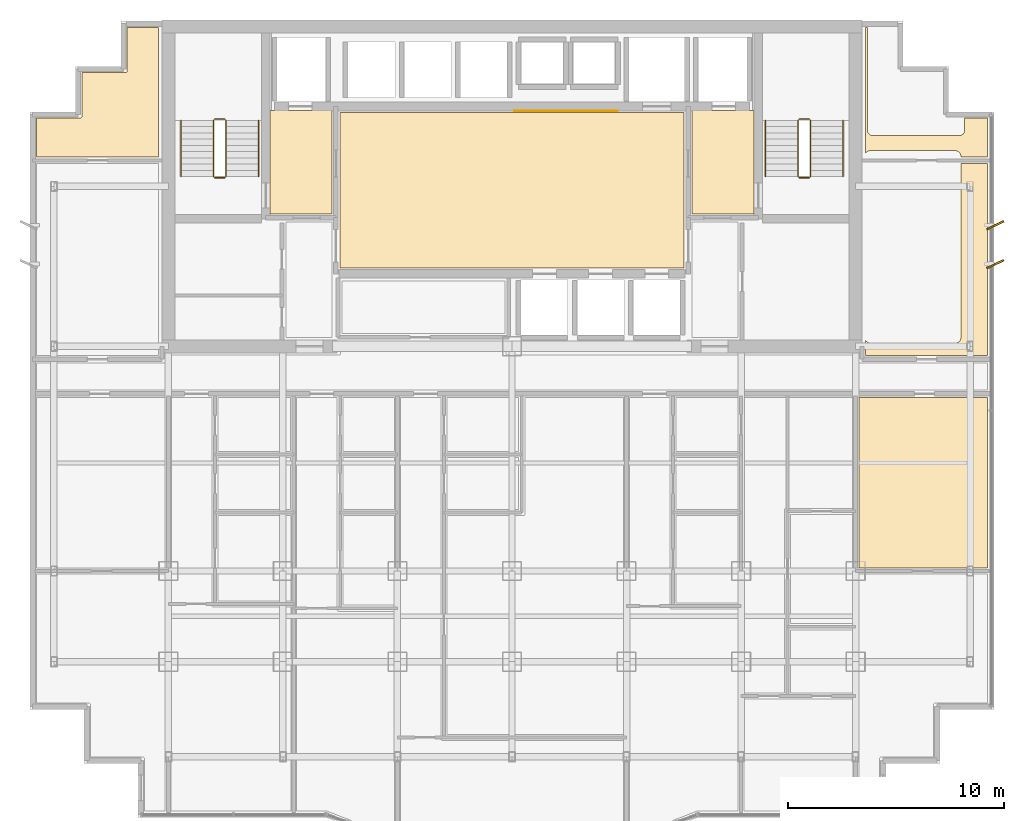
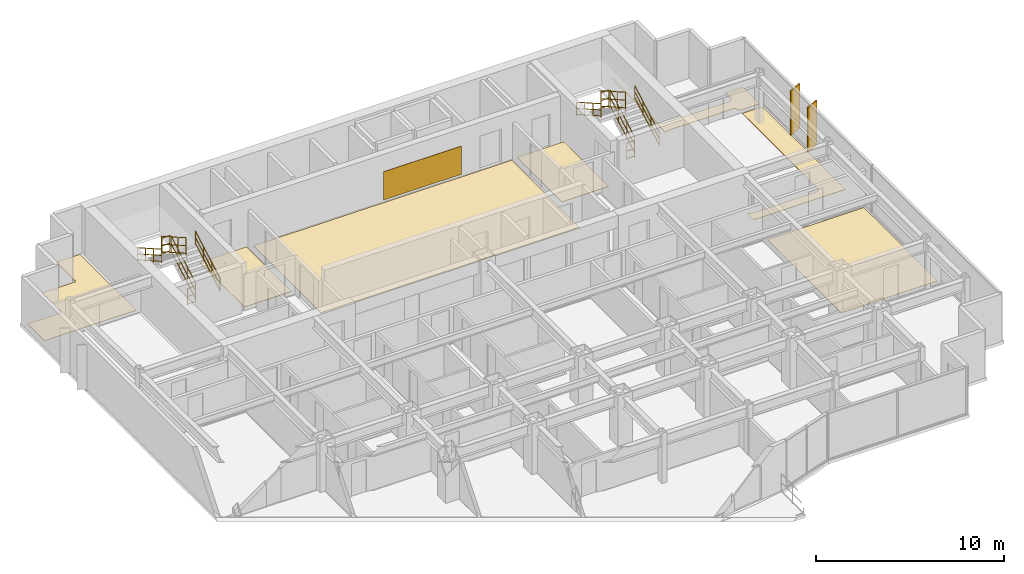
# One storey, part 13 of 13: 12 railings, 8 coverings, 2 shading devices.
"""IFC4 building model written with IfcOpenShell, lengths in metres."""

from ifc_helpers import new_model, si_unit, direction, frame, origin, origin_2d, place, context, subcontext, project, spatial, polyline, rectangle, circle, outline, extrude, source, transform, mapped, material, layer, layer_set, type_object, element, save


model = new_model("IFC4")

# Units and contexts
model_context = context("Model", 3, precision=1e-05, world=origin(), true_north=direction((0.0, 1.0)))
body_context = subcontext(model_context, "Body", "Model", "MODEL_VIEW")
ifc_project = project(units=[si_unit("LENGTHUNIT", "METRE"), si_unit("AREAUNIT", "SQUARE_METRE"), si_unit("VOLUMEUNIT", "CUBIC_METRE"), si_unit("PLANEANGLEUNIT", "RADIAN"), si_unit("MASSUNIT", "GRAM", prefix="KILO")], contexts=[model_context])

# Site, building, storey
site_placement = place(None, origin())
site = spatial("IfcSite", under=ifc_project, at=site_placement, CompositionType="ELEMENT")
building_placement = place(site_placement, origin())
building = spatial("IfcBuilding", under=site, at=building_placement, Name="Qianlan Lanfeng Residences", CompositionType="ELEMENT")
storey_placement = place(building_placement, frame((0.0, 0.0, 142.5)))
storey = spatial("IfcBuildingStorey", under=building, at=storey_placement, Name="L38", CompositionType="ELEMENT", Elevation=142.5)

# Coverings
ifc_material_1 = material(Name="Anodised Bronze Feature Wall Cladding")
ifc_layer_1 = layer(ifc_material_1, 0.02490234375)
ifc_layer_set_1 = layer_set([ifc_layer_1], Name="Anodised Bronze Feature Wall Cladding")
covering_type_1 = type_object("IfcCoveringType", Name="CLD-BRZ-25", PredefinedType="CLADDING", material=ifc_layer_set_1)
covering_1_placement = place(storey_placement, frame((0.0, 0.0, 0.14990234375)))
element("IfcCovering", 1, at=covering_1_placement, inside=storey, type_object=covering_type_1, Name="L38 Lift Lobby Bronze Feature Cladding", PredefinedType="CLADDING", context=body_context, shape_type="SweptSolid", body=[
    extrude(outline(polyline([(26.60009765625, 36.074951171875), (31.39990234375, 36.074951171875), (31.39990234375, 36.10009765625), (26.60009765625, 36.10009765625), (26.60009765625, 36.074951171875)])), origin(), (0.0, 0.0, 1.0), 1.830078125),
])
ifc_material_2 = material(Name="Honed Taitung Granite Stone Flooring", Category="masonry")
ifc_layer_2 = layer(ifc_material_2, 0.030029296875)
ifc_layer_set_2 = layer_set([ifc_layer_2], Name="Honed Taitung Granite Stone Flooring")
covering_type_2 = type_object("IfcCoveringType", Name="FLR-STN-30", PredefinedType="FLOORING", material=ifc_layer_set_2)
covering_2_placement = place(storey_placement, origin())
element("IfcCovering", 2, at=covering_2_placement, inside=storey, type_object=covering_type_2, Name="L38 Firefighting Lift Lobby Floor Finish", PredefinedType="FLOORING", context=body_context, shape_type="SweptSolid", body=[
    extrude(outline(polyline([(15.2900390625, 31.320068359375), (18.179931640625, 31.320068359375), (18.179931640625, 36.110107421875), (15.2900390625, 36.110107421875), (15.2900390625, 31.320068359375)])), origin(), (0.0, 0.0, 1.0), 0.030029296875),
])
covering_3_placement = place(storey_placement, origin())
element("IfcCovering", 3, at=covering_3_placement, inside=storey, type_object=covering_type_2, Name="L38 Firefighting Lift Lobby Floor Finish", PredefinedType="FLOORING", context=body_context, shape_type="SweptSolid", body=[
    extrude(outline(polyline([(34.820068359375, 31.320068359375), (37.7099609375, 31.320068359375), (37.7099609375, 36.110107421875), (34.820068359375, 36.110107421875), (34.820068359375, 31.320068359375)])), origin(), (0.0, 0.0, 1.0), 0.030029296875),
])
covering_4_placement = place(storey_placement, origin())
element("IfcCovering", 4, at=covering_4_placement, inside=storey, type_object=covering_type_2, Name="L38 Lift Lobby Floor Finish", PredefinedType="FLOORING", context=body_context, shape_type="SweptSolid", body=[
    extrude(outline(polyline([(18.550048828125, 28.820068359375), (34.449951171875, 28.820068359375), (34.449951171875, 36.010009765625), (18.550048828125, 36.010009765625), (18.550048828125, 28.820068359375)])), origin(), (0.0, 0.0, 1.0), 0.030029296875),
])
ifc_material_3 = material(Name="Engineered Smoked Oak Timber Flooring", Category="wood")
ifc_layer_3 = layer(ifc_material_3, 0.02197265625)
ifc_layer_set_3 = layer_set([ifc_layer_3], Name="Engineered Smoked Oak Timber Flooring")
covering_type_3 = type_object("IfcCoveringType", Name="FLR-TIM-22", PredefinedType="FLOORING", material=ifc_layer_set_3)
covering_5_placement = place(storey_placement, origin())
element("IfcCovering", 5, at=covering_5_placement, inside=storey, type_object=covering_type_3, Name="L38 Private Study Floor Finish", PredefinedType="FLOORING", context=body_context, shape_type="SweptSolid", body=[
    extrude(outline(polyline([(48.510009765625, 22.830078125), (42.56005859375, 22.830078125), (42.56005859375, 14.949951171875), (48.510009765625, 14.949951171875), (48.510009765625, 22.830078125)])), origin(), (0.0, 0.0, 1.0), 0.02197265625),
])
covering_6_placement = place(storey_placement, origin())
element("IfcCovering", 6, at=covering_6_placement, inside=storey, type_object=covering_type_3, Name="L38 Resident Lounge Floor Finish", PredefinedType="FLOORING", context=body_context, shape_type="SweptSolid", body=[
    extrude(outline(polyline([(4.489990234375, 33.949951171875), (10.14990234375, 33.949951171875), (10.14990234375, 39.9599609375), (8.68994140625, 39.9599609375), (8.68994140625, 37.929931640625), (8.68994140625, 37.923095703125), (8.68896484375, 37.916015625), (8.68701171875, 37.909912109375), (8.68505859375, 37.903076171875), (8.681884765625, 37.89697265625), (8.677978515625, 37.89111328125), (8.674072265625, 37.885986328125), (8.6689453125, 37.881103515625), (8.6640625, 37.8759765625), (8.658935546875, 37.8720703125), (8.653076171875, 37.867919921875), (8.64697265625, 37.864990234375), (8.639892578125, 37.863037109375), (8.634033203125, 37.861083984375), (8.626953125, 37.860107421875), (8.6201171875, 37.860107421875), (6.590087890625, 37.860107421875), (6.590087890625, 35.830078125), (6.590087890625, 35.822998046875), (6.589111328125, 35.81591796875), (6.5869140625, 35.81005859375), (6.5849609375, 35.802978515625), (6.58203125, 35.797119140625), (6.577880859375, 35.791015625), (6.573974609375, 35.785888671875), (6.569091796875, 35.781005859375), (6.56396484375, 35.77587890625), (6.55908203125, 35.77197265625), (6.552978515625, 35.76806640625), (6.547119140625, 35.764892578125), (6.5400390625, 35.762939453125), (6.533935546875, 35.760986328125), (6.527099609375, 35.760009765625), (6.52001953125, 35.760009765625), (4.489990234375, 35.760009765625), (4.489990234375, 33.949951171875)])), origin(), (0.0, 0.0, 1.0), 0.02197265625),
])
covering_7_placement = place(storey_placement, origin())
element("IfcCovering", 7, at=covering_7_placement, inside=storey, type_object=covering_type_3, Name="L38 Sky Lounge Floor Finish", PredefinedType="FLOORING", context=body_context, shape_type="SweptSolid", body=[
    extrude(outline(polyline([(48.510009765625, 33.64990234375), (47.27001953125, 33.64990234375), (47.27001953125, 25.60009765625), (47.26904296875, 25.574951171875), (47.264892578125, 25.551025390625), (47.259033203125, 25.527099609375), (47.2509765625, 25.50390625), (47.239990234375, 25.48193359375), (47.22802734375, 25.4609375), (47.212890625, 25.44091796875), (47.197021484375, 25.423095703125), (47.178955078125, 25.406982421875), (47.158935546875, 25.39208984375), (47.137939453125, 25.3798828125), (47.115966796875, 25.368896484375), (47.093017578125, 25.361083984375), (47.069091796875, 25.35498046875), (47.044921875, 25.35107421875), (47.02001953125, 25.35009765625), (43.080078125, 25.35009765625), (43.054931640625, 25.35107421875), (43.031005859375, 25.35498046875), (43.007080078125, 25.361083984375), (42.98388671875, 25.368896484375), (42.9619140625, 25.3798828125), (42.94091796875, 25.39208984375), (42.9208984375, 25.406982421875), (42.903076171875, 25.423095703125), (42.886962890625, 25.44091796875), (42.8720703125, 25.4609375), (42.860107421875, 25.48193359375), (42.85009765625, 25.501953125), (42.85009765625, 24.780029296875), (48.510009765625, 24.780029296875), (48.510009765625, 33.64990234375)])), origin(), (0.0, 0.0, 1.0), 0.02197265625),
])
covering_8_placement = place(storey_placement, origin())
element("IfcCovering", 8, at=covering_8_placement, inside=storey, type_object=covering_type_3, Name="L38 Resident Lounge Floor Finish", PredefinedType="FLOORING", context=body_context, shape_type="SweptSolid", body=[
    extrude(outline(polyline([(42.85009765625, 34.097900390625), (42.860107421875, 34.117919921875), (42.8720703125, 34.138916015625), (42.886962890625, 34.158935546875), (42.903076171875, 34.177001953125), (42.9208984375, 34.193115234375), (42.94091796875, 34.2080078125), (42.9619140625, 34.219970703125), (42.98388671875, 34.23095703125), (43.007080078125, 34.239013671875), (43.031005859375, 34.2451171875), (43.054931640625, 34.2490234375), (43.080078125, 34.25), (47.02001953125, 34.25), (47.044921875, 34.2490234375), (47.069091796875, 34.2451171875), (47.093017578125, 34.239013671875), (47.115966796875, 34.23095703125), (47.137939453125, 34.219970703125), (47.158935546875, 34.2080078125), (47.178955078125, 34.193115234375), (47.197021484375, 34.177001953125), (47.212890625, 34.158935546875), (47.22802734375, 34.138916015625), (47.239990234375, 34.117919921875), (47.2509765625, 34.095947265625), (47.259033203125, 34.072998046875), (47.264892578125, 34.049072265625), (47.26904296875, 34.02490234375), (47.27001953125, 34.0), (47.27001953125, 33.949951171875), (48.510009765625, 33.949951171875), (48.510009765625, 35.760009765625), (47.449951171875, 35.760009765625), (47.449951171875, 35.199951171875), (47.448974609375, 35.175048828125), (47.445068359375, 35.15087890625), (47.43896484375, 35.126953125), (47.430908203125, 35.10400390625), (47.419921875, 35.08203125), (47.407958984375, 35.06103515625), (47.39306640625, 35.041015625), (47.376953125, 35.02294921875), (47.35888671875, 35.007080078125), (47.339111328125, 34.991943359375), (47.318115234375, 34.97998046875), (47.2958984375, 34.968994140625), (47.27294921875, 34.9609375), (47.2490234375, 34.955078125), (47.22509765625, 34.950927734375), (47.199951171875, 34.949951171875), (43.199951171875, 34.949951171875), (43.175048828125, 34.950927734375), (43.15087890625, 34.955078125), (43.126953125, 34.9609375), (43.10400390625, 34.968994140625), (43.08203125, 34.97998046875), (43.06103515625, 34.991943359375), (43.041015625, 35.007080078125), (43.02294921875, 35.02294921875), (43.007080078125, 35.041015625), (42.991943359375, 35.06103515625), (42.97998046875, 35.08203125), (42.968994140625, 35.10400390625), (42.9609375, 35.126953125), (42.955078125, 35.15087890625), (42.950927734375, 35.175048828125), (42.949951171875, 35.199951171875), (42.949951171875, 39.9599609375), (42.85009765625, 39.9599609375), (42.85009765625, 34.097900390625)])), origin(), (0.0, 0.0, 1.0), 0.02197265625),
])

# Railings
ifc_material_4 = material(Name="Painted Galvanised Steel Guardrail", Category="steel")
railing_type_1 = type_object("IfcRailingType", Name="GR-ST-1120", PredefinedType="GUARDRAIL", material=ifc_material_4)
railing_1_placement = place(storey_placement, frame((13.27001953125, 33.050048828125, 0.1650390625)))
element("IfcRailing", 9, at=railing_1_placement, inside=storey, type_object=railing_type_1, Name="L38 ST-1 stair guard 1", PredefinedType="GUARDRAIL", context=body_context, shape_type="SweptSolid", body=[
    extrude(circle(Radius=0.02392578125, at=origin_2d()), frame((0.0, 0.0, 0.083984375), z_axis=(0.0, 0.869172267526, 0.494509422927), x_axis=(-1.0, 0.0, 0.0)), (0.0, 0.0, 1.0), 3.002685546875),
    extrude(circle(Radius=0.02392578125, at=origin_2d()), frame((0.0, 0.0, 0.58251953125), z_axis=(0.0, 0.869172267526, 0.494509422927), x_axis=(-1.0, 0.0, 0.0)), (0.0, 0.0, 1.0), 3.002685546875),
    extrude(circle(Radius=0.02392578125, at=origin_2d()), frame((0.0, 0.0, 1.09619140625), z_axis=(0.0, 0.869172267526, 0.494509422927), x_axis=(-1.0, 0.0, 0.0)), (0.0, 0.0, 1.0), 3.002685546875),
    extrude(circle(Radius=0.02099609375, at=origin_2d()), origin(), (0.0, 0.0, 1.0), 1.072021484375),
    extrude(circle(Radius=0.02099609375, at=origin_2d()), frame((0.0, 0.869873046875, 0.494873046875)), (0.0, 0.0, 1.0), 1.072021484375),
    extrude(circle(Radius=0.02099609375, at=origin_2d()), frame((0.0, 1.739990234375, 0.989990234375)), (0.0, 0.0, 1.0), 1.072021484375),
    extrude(circle(Radius=0.02099609375, at=origin_2d()), frame((0.0, 2.60986328125, 1.48486328125)), (0.0, 0.0, 1.0), 1.072021484375),
])
railing_2_placement = place(storey_placement, frame((13.219970703125, 35.7099609375, 1.64990234375)))
element("IfcRailing", 10, at=railing_2_placement, inside=storey, type_object=railing_type_1, Name="L38 ST-1 stair guard 2", PredefinedType="GUARDRAIL", context=body_context, shape_type="SweptSolid", body=[
    extrude(circle(Radius=0.02392578125, at=origin_2d()), frame((0.0, 0.0, 0.083984375), z_axis=(-1.0, 0.0, 0.0), x_axis=(0.0, -1.0, 0.0)), (0.0, 0.0, 1.0), 0.47998046875),
    extrude(circle(Radius=0.02392578125, at=origin_2d()), frame((0.0, 0.0, 0.58251953125), z_axis=(-1.0, 0.0, 0.0), x_axis=(0.0, -1.0, 0.0)), (0.0, 0.0, 1.0), 0.47998046875),
    extrude(circle(Radius=0.02392578125, at=origin_2d()), frame((0.0, 0.0, 1.09619140625), z_axis=(-1.0, 0.0, 0.0), x_axis=(0.0, -1.0, 0.0)), (0.0, 0.0, 1.0), 0.47998046875),
    extrude(circle(Radius=0.02099609375, at=origin_2d()), origin(), (0.0, 0.0, 1.0), 1.072021484375),
    extrude(circle(Radius=0.02099609375, at=origin_2d()), frame((-0.47998046875, 0.0, 0.0)), (0.0, 0.0, 1.0), 1.072021484375),
])
railing_3_placement = place(storey_placement, frame((12.68994140625, 35.659912109375, 1.81494140625)))
element("IfcRailing", 11, at=railing_3_placement, inside=storey, type_object=railing_type_1, Name="L38 ST-1 stair guard 3", PredefinedType="GUARDRAIL", context=body_context, shape_type="SweptSolid", body=[
    extrude(circle(Radius=0.02392578125, at=origin_2d()), frame((0.0, 0.0, 0.083984375), z_axis=(0.0, -0.869137319866, 0.494570843475), x_axis=(1.0, 0.0, 0.0)), (0.0, 0.0, 1.0), 3.0029296875),
    extrude(circle(Radius=0.02392578125, at=origin_2d()), frame((0.0, 0.0, 0.58251953125), z_axis=(0.0, -0.869137319866, 0.494570843475), x_axis=(1.0, 0.0, 0.0)), (0.0, 0.0, 1.0), 3.0029296875),
    extrude(circle(Radius=0.02392578125, at=origin_2d()), frame((0.0, 0.0, 1.09619140625), z_axis=(0.0, -0.869137319866, 0.494570843475), x_axis=(1.0, 0.0, 0.0)), (0.0, 0.0, 1.0), 3.0029296875),
    extrude(circle(Radius=0.02099609375, at=origin_2d()), origin(), (0.0, 0.0, 1.0), 1.072021484375),
    extrude(circle(Radius=0.02099609375, at=origin_2d()), frame((0.0, -0.869873046875, 0.4951171875)), (0.0, 0.0, 1.0), 1.072021484375),
    extrude(circle(Radius=0.02099609375, at=origin_2d()), frame((0.0, -1.739990234375, 0.989990234375)), (0.0, 0.0, 1.0), 1.072021484375),
    extrude(circle(Radius=0.02099609375, at=origin_2d()), frame((0.0, -2.60986328125, 1.485107421875)), (0.0, 0.0, 1.0), 1.072021484375),
])
railing_4_placement = place(storey_placement, frame((13.219970703125, 33.0, 0.0)))
element("IfcRailing", 12, at=railing_4_placement, inside=storey, type_object=railing_type_1, Name="L38 ST-1 stair guard 4", PredefinedType="GUARDRAIL", context=body_context, shape_type="SweptSolid", body=[
    extrude(circle(Radius=0.02392578125, at=origin_2d()), frame((0.0, 0.0, 0.083984375), z_axis=(-1.0, 0.0, 0.0), x_axis=(0.0, -1.0, 0.0)), (0.0, 0.0, 1.0), 0.47998046875),
    extrude(circle(Radius=0.02392578125, at=origin_2d()), frame((0.0, 0.0, 0.58251953125), z_axis=(-1.0, 0.0, 0.0), x_axis=(0.0, -1.0, 0.0)), (0.0, 0.0, 1.0), 0.47998046875),
    extrude(circle(Radius=0.02392578125, at=origin_2d()), frame((0.0, 0.0, 1.09619140625), z_axis=(-1.0, 0.0, 0.0), x_axis=(0.0, -1.0, 0.0)), (0.0, 0.0, 1.0), 0.47998046875),
    extrude(circle(Radius=0.02099609375, at=origin_2d()), origin(), (0.0, 0.0, 1.0), 1.072021484375),
    extrude(circle(Radius=0.02099609375, at=origin_2d()), frame((-0.47998046875, 0.0, 0.0)), (0.0, 0.0, 1.0), 1.072021484375),
])
railing_5_placement = place(storey_placement, frame((40.31005859375, 33.050048828125, 0.1650390625)))
element("IfcRailing", 13, at=railing_5_placement, inside=storey, type_object=railing_type_1, Name="L38 ST-2 stair guard 1", PredefinedType="GUARDRAIL", context=body_context, shape_type="SweptSolid", body=[
    extrude(circle(Radius=0.02392578125, at=origin_2d()), frame((0.0, 0.0, 0.083984375), z_axis=(0.0, 0.869172267526, 0.494509422927), x_axis=(-1.0, 0.0, 0.0)), (0.0, 0.0, 1.0), 3.002685546875),
    extrude(circle(Radius=0.02392578125, at=origin_2d()), frame((0.0, 0.0, 0.58251953125), z_axis=(0.0, 0.869172267526, 0.494509422927), x_axis=(-1.0, 0.0, 0.0)), (0.0, 0.0, 1.0), 3.002685546875),
    extrude(circle(Radius=0.02392578125, at=origin_2d()), frame((0.0, 0.0, 1.09619140625), z_axis=(0.0, 0.869172267526, 0.494509422927), x_axis=(-1.0, 0.0, 0.0)), (0.0, 0.0, 1.0), 3.002685546875),
    extrude(circle(Radius=0.02099609375, at=origin_2d()), origin(), (0.0, 0.0, 1.0), 1.072021484375),
    extrude(circle(Radius=0.02099609375, at=origin_2d()), frame((0.0, 0.869873046875, 0.494873046875)), (0.0, 0.0, 1.0), 1.072021484375),
    extrude(circle(Radius=0.02099609375, at=origin_2d()), frame((0.0, 1.739990234375, 0.989990234375)), (0.0, 0.0, 1.0), 1.072021484375),
    extrude(circle(Radius=0.02099609375, at=origin_2d()), frame((0.0, 2.60986328125, 1.48486328125)), (0.0, 0.0, 1.0), 1.072021484375),
])
railing_6_placement = place(storey_placement, frame((40.260009765625, 35.7099609375, 1.64990234375)))
element("IfcRailing", 14, at=railing_6_placement, inside=storey, type_object=railing_type_1, Name="L38 ST-2 stair guard 2", PredefinedType="GUARDRAIL", context=body_context, shape_type="SweptSolid", body=[
    extrude(circle(Radius=0.02392578125, at=origin_2d()), frame((0.0, 0.0, 0.083984375), z_axis=(-1.0, 0.0, 0.0), x_axis=(0.0, -1.0, 0.0)), (0.0, 0.0, 1.0), 0.47998046875),
    extrude(circle(Radius=0.02392578125, at=origin_2d()), frame((0.0, 0.0, 0.58251953125), z_axis=(-1.0, 0.0, 0.0), x_axis=(0.0, -1.0, 0.0)), (0.0, 0.0, 1.0), 0.47998046875),
    extrude(circle(Radius=0.02392578125, at=origin_2d()), frame((0.0, 0.0, 1.09619140625), z_axis=(-1.0, 0.0, 0.0), x_axis=(0.0, -1.0, 0.0)), (0.0, 0.0, 1.0), 0.47998046875),
    extrude(circle(Radius=0.02099609375, at=origin_2d()), origin(), (0.0, 0.0, 1.0), 1.072021484375),
    extrude(circle(Radius=0.02099609375, at=origin_2d()), frame((-0.47998046875, 0.0, 0.0)), (0.0, 0.0, 1.0), 1.072021484375),
])
railing_7_placement = place(storey_placement, frame((39.72998046875, 35.659912109375, 1.81494140625)))
element("IfcRailing", 15, at=railing_7_placement, inside=storey, type_object=railing_type_1, Name="L38 ST-2 stair guard 3", PredefinedType="GUARDRAIL", context=body_context, shape_type="SweptSolid", body=[
    extrude(circle(Radius=0.02392578125, at=origin_2d()), frame((0.0, 0.0, 0.083984375), z_axis=(0.0, -0.869137319866, 0.494570843475), x_axis=(1.0, 0.0, 0.0)), (0.0, 0.0, 1.0), 3.0029296875),
    extrude(circle(Radius=0.02392578125, at=origin_2d()), frame((0.0, 0.0, 0.58251953125), z_axis=(0.0, -0.869137319866, 0.494570843475), x_axis=(1.0, 0.0, 0.0)), (0.0, 0.0, 1.0), 3.0029296875),
    extrude(circle(Radius=0.02392578125, at=origin_2d()), frame((0.0, 0.0, 1.09619140625), z_axis=(0.0, -0.869137319866, 0.494570843475), x_axis=(1.0, 0.0, 0.0)), (0.0, 0.0, 1.0), 3.0029296875),
    extrude(circle(Radius=0.02099609375, at=origin_2d()), origin(), (0.0, 0.0, 1.0), 1.072021484375),
    extrude(circle(Radius=0.02099609375, at=origin_2d()), frame((0.0, -0.869873046875, 0.4951171875)), (0.0, 0.0, 1.0), 1.072021484375),
    extrude(circle(Radius=0.02099609375, at=origin_2d()), frame((0.0, -1.739990234375, 0.989990234375)), (0.0, 0.0, 1.0), 1.072021484375),
    extrude(circle(Radius=0.02099609375, at=origin_2d()), frame((0.0, -2.60986328125, 1.485107421875)), (0.0, 0.0, 1.0), 1.072021484375),
])
railing_8_placement = place(storey_placement, frame((40.260009765625, 33.0, 0.0)))
element("IfcRailing", 16, at=railing_8_placement, inside=storey, type_object=railing_type_1, Name="L38 ST-2 stair guard 4", PredefinedType="GUARDRAIL", context=body_context, shape_type="SweptSolid", body=[
    extrude(circle(Radius=0.02392578125, at=origin_2d()), frame((0.0, 0.0, 0.083984375), z_axis=(-1.0, 0.0, 0.0), x_axis=(0.0, -1.0, 0.0)), (0.0, 0.0, 1.0), 0.47998046875),
    extrude(circle(Radius=0.02392578125, at=origin_2d()), frame((0.0, 0.0, 0.58251953125), z_axis=(-1.0, 0.0, 0.0), x_axis=(0.0, -1.0, 0.0)), (0.0, 0.0, 1.0), 0.47998046875),
    extrude(circle(Radius=0.02392578125, at=origin_2d()), frame((0.0, 0.0, 1.09619140625), z_axis=(-1.0, 0.0, 0.0), x_axis=(0.0, -1.0, 0.0)), (0.0, 0.0, 1.0), 0.47998046875),
    extrude(circle(Radius=0.02099609375, at=origin_2d()), origin(), (0.0, 0.0, 1.0), 1.072021484375),
    extrude(circle(Radius=0.02099609375, at=origin_2d()), frame((-0.47998046875, 0.0, 0.0)), (0.0, 0.0, 1.0), 1.072021484375),
])
ifc_material_5 = material(Name="Brushed Stainless Steel Handrail", Category="steel")
railing_type_2 = type_object("IfcRailingType", Name="HR-ST-920", PredefinedType="HANDRAIL", material=ifc_material_5)
railing_9_placement = place(storey_placement, frame((14.77001953125, 33.050048828125, 0.1650390625)))
element("IfcRailing", 17, at=railing_9_placement, inside=storey, type_object=railing_type_2, Name="L38 ST-1 stair handrail 1", PredefinedType="HANDRAIL", context=body_context, shape_type="SweptSolid", body=[
    extrude(circle(Radius=0.02392578125, at=origin_2d()), frame((0.0, 0.0, 0.083984375), z_axis=(0.0, 0.869172267526, 0.494509422927), x_axis=(-1.0, 0.0, 0.0)), (0.0, 0.0, 1.0), 3.002685546875),
    extrude(circle(Radius=0.02392578125, at=origin_2d()), frame((0.0, 0.0, 0.468017578125), z_axis=(0.0, 0.869172267526, 0.494509422927), x_axis=(-1.0, 0.0, 0.0)), (0.0, 0.0, 1.0), 3.002685546875),
    extrude(circle(Radius=0.02392578125, at=origin_2d()), frame((0.0, 0.0, 0.8759765625), z_axis=(0.0, 0.869172267526, 0.494509422927), x_axis=(-1.0, 0.0, 0.0)), (0.0, 0.0, 1.0), 3.002685546875),
    extrude(circle(Radius=0.02099609375, at=origin_2d()), origin(), (0.0, 0.0, 1.0), 0.851806640625),
    extrude(circle(Radius=0.02099609375, at=origin_2d()), frame((0.0, 0.869873046875, 0.494873046875)), (0.0, 0.0, 1.0), 0.851806640625),
    extrude(circle(Radius=0.02099609375, at=origin_2d()), frame((0.0, 1.739990234375, 0.989990234375)), (0.0, 0.0, 1.0), 0.851806640625),
    extrude(circle(Radius=0.02099609375, at=origin_2d()), frame((0.0, 2.60986328125, 1.48486328125)), (0.0, 0.0, 1.0), 0.851806640625),
])
railing_10_placement = place(storey_placement, frame((11.18994140625, 35.659912109375, 1.81494140625)))
element("IfcRailing", 18, at=railing_10_placement, inside=storey, type_object=railing_type_2, Name="L38 ST-1 stair handrail 2", PredefinedType="HANDRAIL", context=body_context, shape_type="SweptSolid", body=[
    extrude(circle(Radius=0.02392578125, at=origin_2d()), frame((0.0, 0.0, 0.083984375), z_axis=(0.0, -0.869137319866, 0.494570843475), x_axis=(1.0, 0.0, 0.0)), (0.0, 0.0, 1.0), 3.0029296875),
    extrude(circle(Radius=0.02392578125, at=origin_2d()), frame((0.0, 0.0, 0.468017578125), z_axis=(0.0, -0.869137319866, 0.494570843475), x_axis=(1.0, 0.0, 0.0)), (0.0, 0.0, 1.0), 3.0029296875),
    extrude(circle(Radius=0.02392578125, at=origin_2d()), frame((0.0, 0.0, 0.8759765625), z_axis=(0.0, -0.869137319866, 0.494570843475), x_axis=(1.0, 0.0, 0.0)), (0.0, 0.0, 1.0), 3.0029296875),
    extrude(circle(Radius=0.02099609375, at=origin_2d()), origin(), (0.0, 0.0, 1.0), 0.851806640625),
    extrude(circle(Radius=0.02099609375, at=origin_2d()), frame((0.0, -0.869873046875, 0.4951171875)), (0.0, 0.0, 1.0), 0.851806640625),
    extrude(circle(Radius=0.02099609375, at=origin_2d()), frame((0.0, -1.739990234375, 0.989990234375)), (0.0, 0.0, 1.0), 0.851806640625),
    extrude(circle(Radius=0.02099609375, at=origin_2d()), frame((0.0, -2.60986328125, 1.485107421875)), (0.0, 0.0, 1.0), 0.851806640625),
])
railing_11_placement = place(storey_placement, frame((41.81005859375, 33.050048828125, 0.1650390625)))
element("IfcRailing", 19, at=railing_11_placement, inside=storey, type_object=railing_type_2, Name="L38 ST-2 stair handrail 1", PredefinedType="HANDRAIL", context=body_context, shape_type="SweptSolid", body=[
    extrude(circle(Radius=0.02392578125, at=origin_2d()), frame((0.0, 0.0, 0.083984375), z_axis=(0.0, 0.869172267526, 0.494509422927), x_axis=(-1.0, 0.0, 0.0)), (0.0, 0.0, 1.0), 3.002685546875),
    extrude(circle(Radius=0.02392578125, at=origin_2d()), frame((0.0, 0.0, 0.468017578125), z_axis=(0.0, 0.869172267526, 0.494509422927), x_axis=(-1.0, 0.0, 0.0)), (0.0, 0.0, 1.0), 3.002685546875),
    extrude(circle(Radius=0.02392578125, at=origin_2d()), frame((0.0, 0.0, 0.8759765625), z_axis=(0.0, 0.869172267526, 0.494509422927), x_axis=(-1.0, 0.0, 0.0)), (0.0, 0.0, 1.0), 3.002685546875),
    extrude(circle(Radius=0.02099609375, at=origin_2d()), origin(), (0.0, 0.0, 1.0), 0.851806640625),
    extrude(circle(Radius=0.02099609375, at=origin_2d()), frame((0.0, 0.869873046875, 0.494873046875)), (0.0, 0.0, 1.0), 0.851806640625),
    extrude(circle(Radius=0.02099609375, at=origin_2d()), frame((0.0, 1.739990234375, 0.989990234375)), (0.0, 0.0, 1.0), 0.851806640625),
    extrude(circle(Radius=0.02099609375, at=origin_2d()), frame((0.0, 2.60986328125, 1.48486328125)), (0.0, 0.0, 1.0), 0.851806640625),
])
railing_12_placement = place(storey_placement, frame((38.22998046875, 35.659912109375, 1.81494140625)))
element("IfcRailing", 20, at=railing_12_placement, inside=storey, type_object=railing_type_2, Name="L38 ST-2 stair handrail 2", PredefinedType="HANDRAIL", context=body_context, shape_type="SweptSolid", body=[
    extrude(circle(Radius=0.02392578125, at=origin_2d()), frame((0.0, 0.0, 0.083984375), z_axis=(0.0, -0.869137319866, 0.494570843475), x_axis=(1.0, 0.0, 0.0)), (0.0, 0.0, 1.0), 3.0029296875),
    extrude(circle(Radius=0.02392578125, at=origin_2d()), frame((0.0, 0.0, 0.468017578125), z_axis=(0.0, -0.869137319866, 0.494570843475), x_axis=(1.0, 0.0, 0.0)), (0.0, 0.0, 1.0), 3.0029296875),
    extrude(circle(Radius=0.02392578125, at=origin_2d()), frame((0.0, 0.0, 0.8759765625), z_axis=(0.0, -0.869137319866, 0.494570843475), x_axis=(1.0, 0.0, 0.0)), (0.0, 0.0, 1.0), 3.0029296875),
    extrude(circle(Radius=0.02099609375, at=origin_2d()), origin(), (0.0, 0.0, 1.0), 0.851806640625),
    extrude(circle(Radius=0.02099609375, at=origin_2d()), frame((0.0, -0.869873046875, 0.4951171875)), (0.0, 0.0, 1.0), 0.851806640625),
    extrude(circle(Radius=0.02099609375, at=origin_2d()), frame((0.0, -1.739990234375, 0.989990234375)), (0.0, 0.0, 1.0), 0.851806640625),
    extrude(circle(Radius=0.02099609375, at=origin_2d()), frame((0.0, -2.60986328125, 1.485107421875)), (0.0, 0.0, 1.0), 0.851806640625),
])

# Shading devices
ifc_material_6 = material(Name="Anodised Bronze Aluminium Solar Fin", Category="aluminium")
shading_device_type = type_object("IfcShadingDeviceType", Name="FIN-BRZ-850", PredefinedType="SHUTTER", material=ifc_material_6)
shared_shape = source(origin(), body_context, "Body", "SweptSolid", [
    extrude(rectangle(XDim=0.85009765625, YDim=0.080078125, at=origin_2d()), origin(), (0.0, 0.0, 1.0), 2.89990234375),
])
for number, where, z_axis, x_axis, name in (
    (21, (48.8701171875, 29.0, 0.0), (0.0, 0.0, 1.0), (0.898794046299, 0.438371146789, 0.0), "L38 Raked Bronze Solar Fin E1"),
    (22, (48.8701171875, 30.800048828125, 0.0), (0.0, 0.0, 1.0), (0.898794046299, 0.438371146789, 0.0), "L38 Raked Bronze Solar Fin E2"),
):
    element("IfcShadingDevice", number, at=place(storey_placement, frame(where, z_axis=z_axis, x_axis=x_axis)), inside=storey, type_object=shading_device_type, Name=name, PredefinedType="SHUTTER", context=body_context, shape_type="MappedRepresentation", body=[
        mapped(shared_shape, transform((0.0, 0.0, 0.0), scale=1.0)),
    ])

save(model, "model.ifc")
